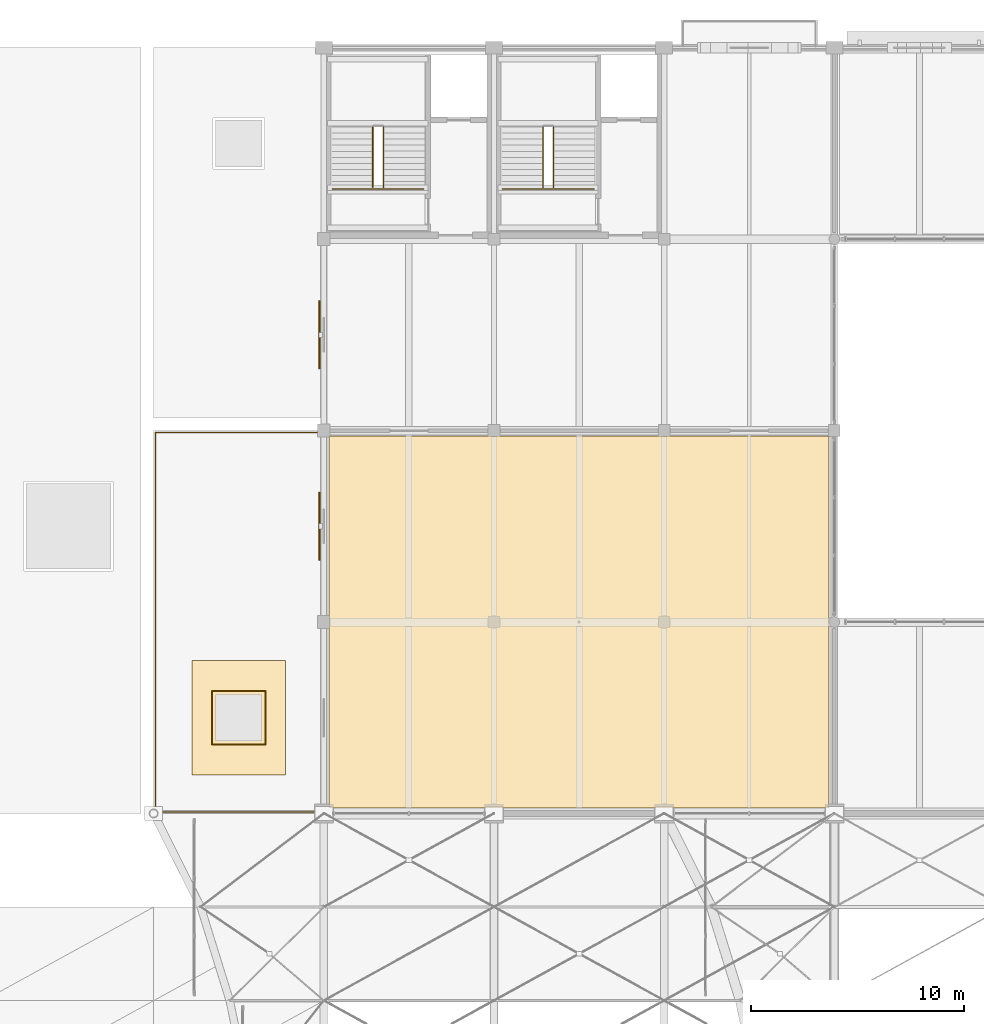
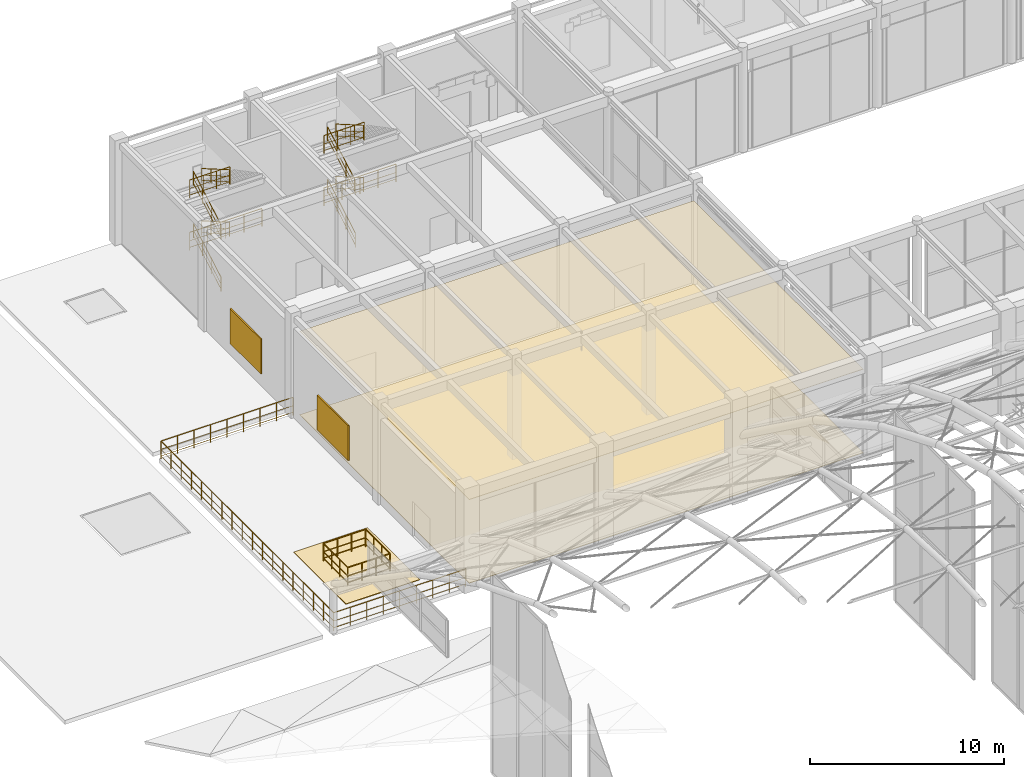
# One storey, part 158 of 163: 15 railings, 3 coverings, 2 shading devices.
"""IFC4 building model written with IfcOpenShell, lengths in metres."""

from ifc_helpers import new_model, si_unit, direction, frame, origin, origin_2d, place, context, subcontext, project, spatial, polyline, rectangle, circle, outline, extrude, material, layer, layer_set, type_object, element, save


model = new_model("IFC4")

# Units and contexts
model_context = context("Model", 3, precision=1e-05, world=origin(), true_north=direction((0.0, 1.0)))
body_context = subcontext(model_context, "Body", "Model", "MODEL_VIEW")
ifc_project = project(units=[si_unit("LENGTHUNIT", "METRE"), si_unit("AREAUNIT", "SQUARE_METRE"), si_unit("VOLUMEUNIT", "CUBIC_METRE"), si_unit("PLANEANGLEUNIT", "RADIAN"), si_unit("MASSUNIT", "GRAM", prefix="KILO")], contexts=[model_context])

# Site, building, storey
site_placement = place(None, origin())
site = spatial("IfcSite", under=ifc_project, at=site_placement, CompositionType="ELEMENT")
building_placement = place(site_placement, origin())
building = spatial("IfcBuilding", under=site, at=building_placement, Name="Varnabhumi Central Station", CompositionType="ELEMENT")
storey_placement = place(building_placement, frame((0.0, 0.0, 9.60009765625)))
storey = spatial("IfcBuildingStorey", under=building, at=storey_placement, Name="L02", CompositionType="ELEMENT", Elevation=9.60009765625)

# Coverings
ifc_material_1 = material(Name="Mineral-fibre acoustic tile")
ifc_layer_1 = layer(ifc_material_1, 0.02490234375, Name="Mineral-fibre acoustic tile")
ifc_layer_set_1 = layer_set([ifc_layer_1], Name="Mineral-fibre acoustic tile")
covering_type_1 = type_object("IfcCoveringType", Name="COV-CEIL-ACOUSTIC", PredefinedType="CEILING", material=ifc_layer_set_1)
covering_1_placement = place(storey_placement, frame((0.0, 0.0, 5.27001953125)))
element("IfcCovering", 1, at=covering_1_placement, inside=storey, type_object=covering_type_1, Name="Executive Waiting Lounge Acoustic Ceiling", PredefinedType="CEILING", context=body_context, shape_type="SweptSolid", body=[
    extrude(outline(polyline([(24.25, 80.25), (47.75, 80.25), (47.75, 97.75), (24.25, 97.75), (24.25, 80.25)])), origin(), (0.0, 0.0, 1.0), 0.02490234375),
])
ifc_material_2 = material(Name="Vitrified granite stone flooring", Category="masonry")
ifc_layer_2 = layer(ifc_material_2, 0.030029296875, Name="Vitrified granite stone flooring", Category="masonry")
ifc_layer_set_2 = layer_set([ifc_layer_2], Name="Vitrified granite stone flooring")
covering_type_2 = type_object("IfcCoveringType", Name="COV-FLOR-GRANITE", PredefinedType="FLOORING", material=ifc_layer_set_2)
covering_2_placement = place(storey_placement, origin())
element("IfcCovering", 2, at=covering_2_placement, inside=storey, type_object=covering_type_2, Name="Executive Waiting Lounge Granite Flooring", PredefinedType="FLOORING", context=body_context, shape_type="SweptSolid", body=[
    extrude(outline(polyline([(24.25, 80.25), (47.75, 80.25), (47.75, 97.75), (24.25, 97.75), (24.25, 80.25)])), origin(), (0.0, 0.0, 1.0), 0.02978515625),
])
ifc_material_3 = material(Name="Modified bitumen waterproofing membrane")
ifc_layer_3 = layer(ifc_material_3, 0.034912109375, Name="Modified bitumen waterproofing membrane")
ifc_layer_set_3 = layer_set([ifc_layer_3], Name="Modified bitumen waterproofing membrane")
covering_type_3 = type_object("IfcCoveringType", Name="COV-ROOF-MEMBRANE", PredefinedType="ROOFING", material=ifc_layer_set_3)
covering_3_placement = place(storey_placement, origin())
element("IfcCovering", 3, at=covering_3_placement, inside=storey, type_object=covering_type_3, Name="Azotea Waterproofing Paver Layer 1", PredefinedType="ROOFING", context=body_context, shape_type="SweptSolid", body=[
    extrude(outline(polyline([(17.800048828125, 81.800048828125), (22.199951171875, 81.800048828125), (22.199951171875, 87.199951171875), (17.800048828125, 87.199951171875), (17.800048828125, 81.800048828125)])), origin(), (0.0, 0.0, 1.0), 0.034912109375),
])

# Railings
ifc_material_4 = material(Name="Stainless steel Grade 316", Category="steel")
railing_type_1 = type_object("IfcRailingType", Name="RAIL-BALUST-1150", PredefinedType="BALUSTRADE", material=ifc_material_4)
railing_1_placement = place(storey_placement, frame((18.739990234375, 85.719970703125, 0.0)))
element("IfcRailing", 4, at=railing_1_placement, inside=storey, type_object=railing_type_1, Name="Skylight Guard L02-1-1A", PredefinedType="BALUSTRADE", context=body_context, shape_type="SweptSolid", body=[
    extrude(circle(Radius=0.02392578125, at=origin_2d()), frame((0.0, 0.0, 1.1259765625), z_axis=(0.0, -1.0, 0.0), x_axis=(1.0, 0.0, 0.0)), (0.0, 0.0, 1.0), 2.47998046875),
    extrude(circle(Radius=0.01416015625, at=origin_2d()), frame((0.0, 0.0, 0.597900390625), z_axis=(0.0, -1.0, 0.0), x_axis=(1.0, 0.0, 0.0)), (0.0, 0.0, 1.0), 2.47998046875),
    extrude(circle(Radius=0.01416015625, at=origin_2d()), frame((0.0, 0.0, 0.18408203125), z_axis=(0.0, -1.0, 0.0), x_axis=(1.0, 0.0, 0.0)), (0.0, 0.0, 1.0), 2.47998046875),
    extrude(circle(Radius=0.02392578125, at=origin_2d()), frame((0.0, -2.47998046875, 1.1259765625), z_axis=(1.0, 0.0, 0.0), x_axis=(0.0, 1.0, 0.0)), (0.0, 0.0, 1.0), 2.52001953125),
    extrude(circle(Radius=0.01416015625, at=origin_2d()), frame((0.0, -2.47998046875, 0.597900390625), z_axis=(1.0, 0.0, 0.0), x_axis=(0.0, 1.0, 0.0)), (0.0, 0.0, 1.0), 2.52001953125),
    extrude(circle(Radius=0.01416015625, at=origin_2d()), frame((0.0, -2.47998046875, 0.18408203125), z_axis=(1.0, 0.0, 0.0), x_axis=(0.0, 1.0, 0.0)), (0.0, 0.0, 1.0), 2.52001953125),
    extrude(circle(Radius=0.02099609375, at=origin_2d()), origin(), (0.0, 0.0, 1.0), 1.101806640625),
    extrude(circle(Radius=0.02099609375, at=origin_2d()), frame((0.0, -0.82666015625, 0.0)), (0.0, 0.0, 1.0), 1.101806640625),
    extrude(circle(Radius=0.02099609375, at=origin_2d()), frame((0.0, -1.6533203125, 0.0)), (0.0, 0.0, 1.0), 1.101806640625),
    extrude(circle(Radius=0.02099609375, at=origin_2d()), frame((0.0, -2.47998046875, 0.0)), (0.0, 0.0, 1.0), 1.101806640625),
    extrude(circle(Radius=0.02099609375, at=origin_2d()), frame((0.840087890625, -2.47998046875, 0.0)), (0.0, 0.0, 1.0), 1.101806640625),
    extrude(circle(Radius=0.02099609375, at=origin_2d()), frame((1.679931640625, -2.47998046875, 0.0)), (0.0, 0.0, 1.0), 1.101806640625),
    extrude(circle(Radius=0.02099609375, at=origin_2d()), frame((2.52001953125, -2.47998046875, 0.0)), (0.0, 0.0, 1.0), 1.101806640625),
])
railing_2_placement = place(storey_placement, frame((21.260009765625, 83.280029296875, 0.0)))
element("IfcRailing", 5, at=railing_2_placement, inside=storey, type_object=railing_type_1, Name="Skylight Guard L02-1-1B", PredefinedType="BALUSTRADE", context=body_context, shape_type="SweptSolid", body=[
    extrude(circle(Radius=0.02392578125, at=origin_2d()), frame((0.0, 0.0, 1.1259765625), z_axis=(0.0, 1.0, 0.0), x_axis=(-1.0, 0.0, 0.0)), (0.0, 0.0, 1.0), 2.47998046875),
    extrude(circle(Radius=0.01416015625, at=origin_2d()), frame((0.0, 0.0, 0.597900390625), z_axis=(0.0, 1.0, 0.0), x_axis=(-1.0, 0.0, 0.0)), (0.0, 0.0, 1.0), 2.47998046875),
    extrude(circle(Radius=0.01416015625, at=origin_2d()), frame((0.0, 0.0, 0.18408203125), z_axis=(0.0, 1.0, 0.0), x_axis=(-1.0, 0.0, 0.0)), (0.0, 0.0, 1.0), 2.47998046875),
    extrude(circle(Radius=0.02392578125, at=origin_2d()), frame((0.0, 2.47998046875, 1.1259765625), z_axis=(-1.0, 0.0, 0.0), x_axis=(0.0, -1.0, 0.0)), (0.0, 0.0, 1.0), 2.52001953125),
    extrude(circle(Radius=0.01416015625, at=origin_2d()), frame((0.0, 2.47998046875, 0.597900390625), z_axis=(-1.0, 0.0, 0.0), x_axis=(0.0, -1.0, 0.0)), (0.0, 0.0, 1.0), 2.52001953125),
    extrude(circle(Radius=0.01416015625, at=origin_2d()), frame((0.0, 2.47998046875, 0.18408203125), z_axis=(-1.0, 0.0, 0.0), x_axis=(0.0, -1.0, 0.0)), (0.0, 0.0, 1.0), 2.52001953125),
    extrude(circle(Radius=0.02099609375, at=origin_2d()), origin(), (0.0, 0.0, 1.0), 1.101806640625),
    extrude(circle(Radius=0.02099609375, at=origin_2d()), frame((0.0, 0.82666015625, 0.0)), (0.0, 0.0, 1.0), 1.101806640625),
    extrude(circle(Radius=0.02099609375, at=origin_2d()), frame((0.0, 1.6533203125, 0.0)), (0.0, 0.0, 1.0), 1.101806640625),
    extrude(circle(Radius=0.02099609375, at=origin_2d()), frame((0.0, 2.47998046875, 0.0)), (0.0, 0.0, 1.0), 1.101806640625),
    extrude(circle(Radius=0.02099609375, at=origin_2d()), frame((-0.840087890625, 2.47998046875, 0.0)), (0.0, 0.0, 1.0), 1.101806640625),
    extrude(circle(Radius=0.02099609375, at=origin_2d()), frame((-1.679931640625, 2.47998046875, 0.0)), (0.0, 0.0, 1.0), 1.101806640625),
    extrude(circle(Radius=0.02099609375, at=origin_2d()), frame((-2.52001953125, 2.47998046875, 0.0)), (0.0, 0.0, 1.0), 1.101806640625),
])
railing_3_placement = place(storey_placement, frame((23.949951171875, 97.919921875, 0.0)))
element("IfcRailing", 6, at=railing_3_placement, inside=storey, type_object=railing_type_1, Name="Azotea Perimeter Balustrade L02-1", PredefinedType="BALUSTRADE", context=body_context, shape_type="SweptSolid", body=[
    extrude(circle(Radius=0.02392578125, at=origin_2d()), frame((0.0, 0.0, 1.1259765625), z_axis=(-1.0, 0.0, 0.0), x_axis=(0.0, -1.0, 0.0)), (0.0, 0.0, 1.0), 7.869873046875),
    extrude(circle(Radius=0.01416015625, at=origin_2d()), frame((0.0, 0.0, 0.597900390625), z_axis=(-1.0, 0.0, 0.0), x_axis=(0.0, -1.0, 0.0)), (0.0, 0.0, 1.0), 7.869873046875),
    extrude(circle(Radius=0.01416015625, at=origin_2d()), frame((0.0, 0.0, 0.18408203125), z_axis=(-1.0, 0.0, 0.0), x_axis=(0.0, -1.0, 0.0)), (0.0, 0.0, 1.0), 7.869873046875),
    extrude(circle(Radius=0.02392578125, at=origin_2d()), frame((-7.869873046875, 0.0, 1.1259765625), z_axis=(0.0, -1.0, 0.0), x_axis=(1.0, 0.0, 0.0)), (0.0, 0.0, 1.0), 17.83984375),
    extrude(circle(Radius=0.01416015625, at=origin_2d()), frame((-7.869873046875, 0.0, 0.597900390625), z_axis=(0.0, -1.0, 0.0), x_axis=(1.0, 0.0, 0.0)), (0.0, 0.0, 1.0), 17.83984375),
    extrude(circle(Radius=0.01416015625, at=origin_2d()), frame((-7.869873046875, 0.0, 0.18408203125), z_axis=(0.0, -1.0, 0.0), x_axis=(1.0, 0.0, 0.0)), (0.0, 0.0, 1.0), 17.83984375),
    extrude(circle(Radius=0.02392578125, at=origin_2d()), frame((-7.869873046875, -17.83984375, 1.1259765625), z_axis=(1.0, 0.0, 0.0), x_axis=(0.0, 1.0, 0.0)), (0.0, 0.0, 1.0), 7.869873046875),
    extrude(circle(Radius=0.01416015625, at=origin_2d()), frame((-7.869873046875, -17.83984375, 0.597900390625), z_axis=(1.0, 0.0, 0.0), x_axis=(0.0, 1.0, 0.0)), (0.0, 0.0, 1.0), 7.869873046875),
    extrude(circle(Radius=0.01416015625, at=origin_2d()), frame((-7.869873046875, -17.83984375, 0.18408203125), z_axis=(1.0, 0.0, 0.0), x_axis=(0.0, 1.0, 0.0)), (0.0, 0.0, 1.0), 7.869873046875),
    extrude(circle(Radius=0.02099609375, at=origin_2d()), origin(), (0.0, 0.0, 1.0), 1.101806640625),
    extrude(circle(Radius=0.02099609375, at=origin_2d()), frame((-0.983642578125, 0.0, 0.0)), (0.0, 0.0, 1.0), 1.101806640625),
    extrude(circle(Radius=0.02099609375, at=origin_2d()), frame((-1.967529296875, 0.0, 0.0)), (0.0, 0.0, 1.0), 1.101806640625),
    extrude(circle(Radius=0.02099609375, at=origin_2d()), frame((-2.951171875, 0.0, 0.0)), (0.0, 0.0, 1.0), 1.101806640625),
    extrude(circle(Radius=0.02099609375, at=origin_2d()), frame((-3.93505859375, 0.0, 0.0)), (0.0, 0.0, 1.0), 1.101806640625),
    extrude(circle(Radius=0.02099609375, at=origin_2d()), frame((-4.918701171875, 0.0, 0.0)), (0.0, 0.0, 1.0), 1.101806640625),
    extrude(circle(Radius=0.02099609375, at=origin_2d()), frame((-5.90234375, 0.0, 0.0)), (0.0, 0.0, 1.0), 1.101806640625),
    extrude(circle(Radius=0.02099609375, at=origin_2d()), frame((-6.88623046875, 0.0, 0.0)), (0.0, 0.0, 1.0), 1.101806640625),
    extrude(circle(Radius=0.02099609375, at=origin_2d()), frame((-7.869873046875, 0.0, 0.0)), (0.0, 0.0, 1.0), 1.101806640625),
    extrude(circle(Radius=0.02099609375, at=origin_2d()), frame((-7.869873046875, -1.04931640625, 0.0)), (0.0, 0.0, 1.0), 1.101806640625),
    extrude(circle(Radius=0.02099609375, at=origin_2d()), frame((-7.869873046875, -2.098876953125, 0.0)), (0.0, 0.0, 1.0), 1.101806640625),
    extrude(circle(Radius=0.02099609375, at=origin_2d()), frame((-7.869873046875, -3.148193359375, 0.0)), (0.0, 0.0, 1.0), 1.101806640625),
    extrude(circle(Radius=0.02099609375, at=origin_2d()), frame((-7.869873046875, -4.197509765625, 0.0)), (0.0, 0.0, 1.0), 1.101806640625),
    extrude(circle(Radius=0.02099609375, at=origin_2d()), frame((-7.869873046875, -5.2470703125, 0.0)), (0.0, 0.0, 1.0), 1.101806640625),
    extrude(circle(Radius=0.02099609375, at=origin_2d()), frame((-7.869873046875, -6.29638671875, 0.0)), (0.0, 0.0, 1.0), 1.101806640625),
    extrude(circle(Radius=0.02099609375, at=origin_2d()), frame((-7.869873046875, -7.345703125, 0.0)), (0.0, 0.0, 1.0), 1.101806640625),
    extrude(circle(Radius=0.02099609375, at=origin_2d()), frame((-7.869873046875, -8.395263671875, 0.0)), (0.0, 0.0, 1.0), 1.101806640625),
    extrude(circle(Radius=0.02099609375, at=origin_2d()), frame((-7.869873046875, -9.444580078125, 0.0)), (0.0, 0.0, 1.0), 1.101806640625),
    extrude(circle(Radius=0.02099609375, at=origin_2d()), frame((-7.869873046875, -10.494140625, 0.0)), (0.0, 0.0, 1.0), 1.101806640625),
    extrude(circle(Radius=0.02099609375, at=origin_2d()), frame((-7.869873046875, -11.54345703125, 0.0)), (0.0, 0.0, 1.0), 1.101806640625),
    extrude(circle(Radius=0.02099609375, at=origin_2d()), frame((-7.869873046875, -12.5927734375, 0.0)), (0.0, 0.0, 1.0), 1.101806640625),
    extrude(circle(Radius=0.02099609375, at=origin_2d()), frame((-7.869873046875, -13.642333984375, 0.0)), (0.0, 0.0, 1.0), 1.101806640625),
    extrude(circle(Radius=0.02099609375, at=origin_2d()), frame((-7.869873046875, -14.691650390625, 0.0)), (0.0, 0.0, 1.0), 1.101806640625),
    extrude(circle(Radius=0.02099609375, at=origin_2d()), frame((-7.869873046875, -15.740966796875, 0.0)), (0.0, 0.0, 1.0), 1.101806640625),
    extrude(circle(Radius=0.02099609375, at=origin_2d()), frame((-7.869873046875, -16.79052734375, 0.0)), (0.0, 0.0, 1.0), 1.101806640625),
    extrude(circle(Radius=0.02099609375, at=origin_2d()), frame((-7.869873046875, -17.83984375, 0.0)), (0.0, 0.0, 1.0), 1.101806640625),
    extrude(circle(Radius=0.02099609375, at=origin_2d()), frame((-6.88623046875, -17.83984375, 0.0)), (0.0, 0.0, 1.0), 1.101806640625),
    extrude(circle(Radius=0.02099609375, at=origin_2d()), frame((-5.90234375, -17.83984375, 0.0)), (0.0, 0.0, 1.0), 1.101806640625),
    extrude(circle(Radius=0.02099609375, at=origin_2d()), frame((-4.918701171875, -17.83984375, 0.0)), (0.0, 0.0, 1.0), 1.101806640625),
    extrude(circle(Radius=0.02099609375, at=origin_2d()), frame((-3.93505859375, -17.83984375, 0.0)), (0.0, 0.0, 1.0), 1.101806640625),
    extrude(circle(Radius=0.02099609375, at=origin_2d()), frame((-2.951171875, -17.83984375, 0.0)), (0.0, 0.0, 1.0), 1.101806640625),
    extrude(circle(Radius=0.02099609375, at=origin_2d()), frame((-1.967529296875, -17.83984375, 0.0)), (0.0, 0.0, 1.0), 1.101806640625),
    extrude(circle(Radius=0.02099609375, at=origin_2d()), frame((-0.983642578125, -17.83984375, 0.0)), (0.0, 0.0, 1.0), 1.101806640625),
    extrude(circle(Radius=0.02099609375, at=origin_2d()), frame((0.0, -17.83984375, 0.0)), (0.0, 0.0, 1.0), 1.101806640625),
])
railing_type_2 = type_object("IfcRailingType", Name="RAIL-STAIR-GRD-1150", PredefinedType="GUARDRAIL", material=ifc_material_4)
railing_4_placement = place(storey_placement, frame((24.39990234375, 109.360107421875, 3.2998046875)))
element("IfcRailing", 7, at=railing_4_placement, inside=storey, type_object=railing_type_2, Name="ST-N1 L02 Landing Guard 2", PredefinedType="GUARDRAIL", context=body_context, shape_type="SweptSolid", body=[
    extrude(circle(Radius=0.02392578125, at=origin_2d()), frame((0.0, 0.0, 1.1259765625), z_axis=(1.0, 0.0, 0.0), x_axis=(0.0, 1.0, 0.0)), (0.0, 0.0, 1.0), 4.300048828125),
    extrude(circle(Radius=0.01416015625, at=origin_2d()), frame((0.0, 0.0, 0.597900390625), z_axis=(1.0, 0.0, 0.0), x_axis=(0.0, 1.0, 0.0)), (0.0, 0.0, 1.0), 4.300048828125),
    extrude(circle(Radius=0.01416015625, at=origin_2d()), frame((0.0, 0.0, 0.18408203125), z_axis=(1.0, 0.0, 0.0), x_axis=(0.0, 1.0, 0.0)), (0.0, 0.0, 1.0), 4.300048828125),
    extrude(circle(Radius=0.02099609375, at=origin_2d()), origin(), (0.0, 0.0, 1.0), 1.101806640625),
    extrude(circle(Radius=0.02099609375, at=origin_2d()), frame((1.074951171875, 0.0, 0.0)), (0.0, 0.0, 1.0), 1.101806640625),
    extrude(circle(Radius=0.02099609375, at=origin_2d()), frame((2.14990234375, 0.0, 0.0)), (0.0, 0.0, 1.0), 1.101806640625),
    extrude(circle(Radius=0.02099609375, at=origin_2d()), frame((3.22509765625, 0.0, 0.0)), (0.0, 0.0, 1.0), 1.101806640625),
    extrude(circle(Radius=0.02099609375, at=origin_2d()), frame((4.300048828125, 0.0, 0.0)), (0.0, 0.0, 1.0), 1.101806640625),
])
railing_5_placement = place(storey_placement, frame((24.39990234375, 109.360107421875, 6.599853515625)))
element("IfcRailing", 8, at=railing_5_placement, inside=storey, type_object=railing_type_2, Name="ST-N1 Top Well Guard", PredefinedType="GUARDRAIL", context=body_context, shape_type="SweptSolid", body=[
    extrude(circle(Radius=0.02392578125, at=origin_2d()), frame((0.0, 0.0, 1.1259765625), z_axis=(1.0, 0.0, 0.0), x_axis=(0.0, 1.0, 0.0)), (0.0, 0.0, 1.0), 2.400146484375),
    extrude(circle(Radius=0.01416015625, at=origin_2d()), frame((0.0, 0.0, 0.597900390625), z_axis=(1.0, 0.0, 0.0), x_axis=(0.0, 1.0, 0.0)), (0.0, 0.0, 1.0), 2.400146484375),
    extrude(circle(Radius=0.01416015625, at=origin_2d()), frame((0.0, 0.0, 0.18408203125), z_axis=(1.0, 0.0, 0.0), x_axis=(0.0, 1.0, 0.0)), (0.0, 0.0, 1.0), 2.400146484375),
    extrude(circle(Radius=0.02099609375, at=origin_2d()), origin(), (0.0, 0.0, 1.0), 1.101806640625),
    extrude(circle(Radius=0.02099609375, at=origin_2d()), frame((0.800048828125, 0.0, 0.0)), (0.0, 0.0, 1.0), 1.101806640625),
    extrude(circle(Radius=0.02099609375, at=origin_2d()), frame((1.60009765625, 0.0, 0.0)), (0.0, 0.0, 1.0), 1.101806640625),
    extrude(circle(Radius=0.02099609375, at=origin_2d()), frame((2.400146484375, 0.0, 0.0)), (0.0, 0.0, 1.0), 1.101806640625),
])
railing_6_placement = place(storey_placement, frame((32.39990234375, 109.360107421875, 3.2998046875)))
element("IfcRailing", 9, at=railing_6_placement, inside=storey, type_object=railing_type_2, Name="ST-N4 L02 Landing Guard 2", PredefinedType="GUARDRAIL", context=body_context, shape_type="SweptSolid", body=[
    extrude(circle(Radius=0.02392578125, at=origin_2d()), frame((0.0, 0.0, 1.1259765625), z_axis=(1.0, 0.0, 0.0), x_axis=(0.0, 1.0, 0.0)), (0.0, 0.0, 1.0), 4.300048828125),
    extrude(circle(Radius=0.01416015625, at=origin_2d()), frame((0.0, 0.0, 0.597900390625), z_axis=(1.0, 0.0, 0.0), x_axis=(0.0, 1.0, 0.0)), (0.0, 0.0, 1.0), 4.300048828125),
    extrude(circle(Radius=0.01416015625, at=origin_2d()), frame((0.0, 0.0, 0.18408203125), z_axis=(1.0, 0.0, 0.0), x_axis=(0.0, 1.0, 0.0)), (0.0, 0.0, 1.0), 4.300048828125),
    extrude(circle(Radius=0.02099609375, at=origin_2d()), origin(), (0.0, 0.0, 1.0), 1.101806640625),
    extrude(circle(Radius=0.02099609375, at=origin_2d()), frame((1.074951171875, 0.0, 0.0)), (0.0, 0.0, 1.0), 1.101806640625),
    extrude(circle(Radius=0.02099609375, at=origin_2d()), frame((2.14990234375, 0.0, 0.0)), (0.0, 0.0, 1.0), 1.101806640625),
    extrude(circle(Radius=0.02099609375, at=origin_2d()), frame((3.22509765625, 0.0, 0.0)), (0.0, 0.0, 1.0), 1.101806640625),
    extrude(circle(Radius=0.02099609375, at=origin_2d()), frame((4.300048828125, 0.0, 0.0)), (0.0, 0.0, 1.0), 1.101806640625),
])
railing_7_placement = place(storey_placement, frame((32.39990234375, 109.360107421875, 6.599853515625)))
element("IfcRailing", 10, at=railing_7_placement, inside=storey, type_object=railing_type_2, Name="ST-N4 Top Well Guard", PredefinedType="GUARDRAIL", context=body_context, shape_type="SweptSolid", body=[
    extrude(circle(Radius=0.02392578125, at=origin_2d()), frame((0.0, 0.0, 1.1259765625), z_axis=(1.0, 0.0, 0.0), x_axis=(0.0, 1.0, 0.0)), (0.0, 0.0, 1.0), 2.400146484375),
    extrude(circle(Radius=0.01416015625, at=origin_2d()), frame((0.0, 0.0, 0.597900390625), z_axis=(1.0, 0.0, 0.0), x_axis=(0.0, 1.0, 0.0)), (0.0, 0.0, 1.0), 2.400146484375),
    extrude(circle(Radius=0.01416015625, at=origin_2d()), frame((0.0, 0.0, 0.18408203125), z_axis=(1.0, 0.0, 0.0), x_axis=(0.0, 1.0, 0.0)), (0.0, 0.0, 1.0), 2.400146484375),
    extrude(circle(Radius=0.02099609375, at=origin_2d()), origin(), (0.0, 0.0, 1.0), 1.101806640625),
    extrude(circle(Radius=0.02099609375, at=origin_2d()), frame((0.800048828125, 0.0, 0.0)), (0.0, 0.0, 1.0), 1.101806640625),
    extrude(circle(Radius=0.02099609375, at=origin_2d()), frame((1.60009765625, 0.0, 0.0)), (0.0, 0.0, 1.0), 1.101806640625),
    extrude(circle(Radius=0.02099609375, at=origin_2d()), frame((2.400146484375, 0.0, 0.0)), (0.0, 0.0, 1.0), 1.101806640625),
])
railing_type_3 = type_object("IfcRailingType", Name="RAIL-STAIR-HR-920", PredefinedType="HANDRAIL", material=ifc_material_4)
railing_8_placement = place(storey_placement, frame((26.300048828125, 109.419921875, 0.0)))
element("IfcRailing", 11, at=railing_8_placement, inside=storey, type_object=railing_type_3, Name="ST-N1 L02 Handrail 1", PredefinedType="HANDRAIL", context=body_context, shape_type="SweptSolid", body=[
    extrude(circle(Radius=0.02392578125, at=origin_2d()), frame((0.0, 0.0, 0.89599609375), z_axis=(0.0, 0.865446587175, 0.501001202341), x_axis=(-1.0, 0.0, 0.0)), (0.0, 0.0, 1.0), 3.293212890625),
    extrude(circle(Radius=0.01416015625, at=origin_2d()), frame((0.0, 0.0, 0.478271484375), z_axis=(0.0, 0.865446587175, 0.501001202341), x_axis=(-1.0, 0.0, 0.0)), (0.0, 0.0, 1.0), 3.293212890625),
    extrude(circle(Radius=0.01416015625, at=origin_2d()), frame((0.0, 0.0, 0.147216796875), z_axis=(0.0, 0.865446587175, 0.501001202341), x_axis=(-1.0, 0.0, 0.0)), (0.0, 0.0, 1.0), 3.293212890625),
    extrude(circle(Radius=0.02099609375, at=origin_2d()), origin(), (0.0, 0.0, 1.0), 0.871826171875),
    extrude(circle(Radius=0.02099609375, at=origin_2d()), frame((0.0, 0.949951171875, 0.550048828125)), (0.0, 0.0, 1.0), 0.871826171875),
    extrude(circle(Radius=0.02099609375, at=origin_2d()), frame((0.0, 1.900146484375, 1.099853515625)), (0.0, 0.0, 1.0), 0.871826171875),
    extrude(circle(Radius=0.02099609375, at=origin_2d()), frame((0.0, 2.85009765625, 1.64990234375)), (0.0, 0.0, 1.0), 0.871826171875),
])
railing_9_placement = place(storey_placement, frame((26.800048828125, 112.27001953125, 1.64990234375)))
element("IfcRailing", 12, at=railing_9_placement, inside=storey, type_object=railing_type_3, Name="ST-N1 L02 Handrail 2", PredefinedType="HANDRAIL", context=body_context, shape_type="SweptSolid", body=[
    extrude(circle(Radius=0.02392578125, at=origin_2d()), frame((0.0, 0.0, 0.89599609375), z_axis=(0.0, -0.865446587175, 0.501001202341), x_axis=(1.0, 0.0, 0.0)), (0.0, 0.0, 1.0), 3.293212890625),
    extrude(circle(Radius=0.01416015625, at=origin_2d()), frame((0.0, 0.0, 0.478271484375), z_axis=(0.0, -0.865446587175, 0.501001202341), x_axis=(1.0, 0.0, 0.0)), (0.0, 0.0, 1.0), 3.293212890625),
    extrude(circle(Radius=0.01416015625, at=origin_2d()), frame((0.0, 0.0, 0.147216796875), z_axis=(0.0, -0.865446587175, 0.501001202341), x_axis=(1.0, 0.0, 0.0)), (0.0, 0.0, 1.0), 3.293212890625),
    extrude(circle(Radius=0.02099609375, at=origin_2d()), origin(), (0.0, 0.0, 1.0), 0.871826171875),
    extrude(circle(Radius=0.02099609375, at=origin_2d()), frame((0.0, -0.949951171875, 0.550048828125)), (0.0, 0.0, 1.0), 0.871826171875),
    extrude(circle(Radius=0.02099609375, at=origin_2d()), frame((0.0, -1.900146484375, 1.099853515625)), (0.0, 0.0, 1.0), 0.871826171875),
    extrude(circle(Radius=0.02099609375, at=origin_2d()), frame((0.0, -2.85009765625, 1.64990234375)), (0.0, 0.0, 1.0), 0.871826171875),
])
railing_10_placement = place(storey_placement, frame((26.300048828125, 109.419921875, 3.2998046875)))
element("IfcRailing", 13, at=railing_10_placement, inside=storey, type_object=railing_type_3, Name="ST-N1 L02 Handrail 3", PredefinedType="HANDRAIL", context=body_context, shape_type="SweptSolid", body=[
    extrude(circle(Radius=0.02392578125, at=origin_2d()), frame((0.0, 0.0, 0.89599609375), z_axis=(0.0, 0.86541444261, 0.501056725852), x_axis=(-1.0, 0.0, 0.0)), (0.0, 0.0, 1.0), 3.293212890625),
    extrude(circle(Radius=0.01416015625, at=origin_2d()), frame((0.0, 0.0, 0.478271484375), z_axis=(0.0, 0.86541444261, 0.501056725852), x_axis=(-1.0, 0.0, 0.0)), (0.0, 0.0, 1.0), 3.293212890625),
    extrude(circle(Radius=0.01416015625, at=origin_2d()), frame((0.0, 0.0, 0.147216796875), z_axis=(0.0, 0.86541444261, 0.501056725852), x_axis=(-1.0, 0.0, 0.0)), (0.0, 0.0, 1.0), 3.293212890625),
    extrude(circle(Radius=0.02099609375, at=origin_2d()), origin(), (0.0, 0.0, 1.0), 0.871826171875),
    extrude(circle(Radius=0.02099609375, at=origin_2d()), frame((0.0, 0.949951171875, 0.550048828125)), (0.0, 0.0, 1.0), 0.871826171875),
    extrude(circle(Radius=0.02099609375, at=origin_2d()), frame((0.0, 1.900146484375, 1.10009765625)), (0.0, 0.0, 1.0), 0.871826171875),
    extrude(circle(Radius=0.02099609375, at=origin_2d()), frame((0.0, 2.85009765625, 1.650146484375)), (0.0, 0.0, 1.0), 0.871826171875),
])
railing_11_placement = place(storey_placement, frame((26.800048828125, 112.27001953125, 4.949951171875)))
element("IfcRailing", 14, at=railing_11_placement, inside=storey, type_object=railing_type_3, Name="ST-N1 L02 Handrail 4", PredefinedType="HANDRAIL", context=body_context, shape_type="SweptSolid", body=[
    extrude(circle(Radius=0.02392578125, at=origin_2d()), frame((0.0, 0.0, 0.89599609375), z_axis=(0.0, -0.865446587175, 0.501001202341), x_axis=(1.0, 0.0, 0.0)), (0.0, 0.0, 1.0), 3.293212890625),
    extrude(circle(Radius=0.01416015625, at=origin_2d()), frame((0.0, 0.0, 0.478271484375), z_axis=(0.0, -0.865446587175, 0.501001202341), x_axis=(1.0, 0.0, 0.0)), (0.0, 0.0, 1.0), 3.293212890625),
    extrude(circle(Radius=0.01416015625, at=origin_2d()), frame((0.0, 0.0, 0.147216796875), z_axis=(0.0, -0.865446587175, 0.501001202341), x_axis=(1.0, 0.0, 0.0)), (0.0, 0.0, 1.0), 3.293212890625),
    extrude(circle(Radius=0.02099609375, at=origin_2d()), origin(), (0.0, 0.0, 1.0), 0.871826171875),
    extrude(circle(Radius=0.02099609375, at=origin_2d()), frame((0.0, -0.949951171875, 0.550048828125)), (0.0, 0.0, 1.0), 0.871826171875),
    extrude(circle(Radius=0.02099609375, at=origin_2d()), frame((0.0, -1.900146484375, 1.099853515625)), (0.0, 0.0, 1.0), 0.871826171875),
    extrude(circle(Radius=0.02099609375, at=origin_2d()), frame((0.0, -2.85009765625, 1.64990234375)), (0.0, 0.0, 1.0), 0.871826171875),
])
railing_12_placement = place(storey_placement, frame((34.300048828125, 109.419921875, 0.0)))
element("IfcRailing", 15, at=railing_12_placement, inside=storey, type_object=railing_type_3, Name="ST-N4 L02 Handrail 1", PredefinedType="HANDRAIL", context=body_context, shape_type="SweptSolid", body=[
    extrude(circle(Radius=0.02392578125, at=origin_2d()), frame((0.0, 0.0, 0.89599609375), z_axis=(0.0, 0.865446587175, 0.501001202341), x_axis=(-1.0, 0.0, 0.0)), (0.0, 0.0, 1.0), 3.293212890625),
    extrude(circle(Radius=0.01416015625, at=origin_2d()), frame((0.0, 0.0, 0.478271484375), z_axis=(0.0, 0.865446587175, 0.501001202341), x_axis=(-1.0, 0.0, 0.0)), (0.0, 0.0, 1.0), 3.293212890625),
    extrude(circle(Radius=0.01416015625, at=origin_2d()), frame((0.0, 0.0, 0.147216796875), z_axis=(0.0, 0.865446587175, 0.501001202341), x_axis=(-1.0, 0.0, 0.0)), (0.0, 0.0, 1.0), 3.293212890625),
    extrude(circle(Radius=0.02099609375, at=origin_2d()), origin(), (0.0, 0.0, 1.0), 0.871826171875),
    extrude(circle(Radius=0.02099609375, at=origin_2d()), frame((0.0, 0.949951171875, 0.550048828125)), (0.0, 0.0, 1.0), 0.871826171875),
    extrude(circle(Radius=0.02099609375, at=origin_2d()), frame((0.0, 1.900146484375, 1.099853515625)), (0.0, 0.0, 1.0), 0.871826171875),
    extrude(circle(Radius=0.02099609375, at=origin_2d()), frame((0.0, 2.85009765625, 1.64990234375)), (0.0, 0.0, 1.0), 0.871826171875),
])
railing_13_placement = place(storey_placement, frame((34.800048828125, 112.27001953125, 1.64990234375)))
element("IfcRailing", 16, at=railing_13_placement, inside=storey, type_object=railing_type_3, Name="ST-N4 L02 Handrail 2", PredefinedType="HANDRAIL", context=body_context, shape_type="SweptSolid", body=[
    extrude(circle(Radius=0.02392578125, at=origin_2d()), frame((0.0, 0.0, 0.89599609375), z_axis=(0.0, -0.865446587175, 0.501001202341), x_axis=(1.0, 0.0, 0.0)), (0.0, 0.0, 1.0), 3.293212890625),
    extrude(circle(Radius=0.01416015625, at=origin_2d()), frame((0.0, 0.0, 0.478271484375), z_axis=(0.0, -0.865446587175, 0.501001202341), x_axis=(1.0, 0.0, 0.0)), (0.0, 0.0, 1.0), 3.293212890625),
    extrude(circle(Radius=0.01416015625, at=origin_2d()), frame((0.0, 0.0, 0.147216796875), z_axis=(0.0, -0.865446587175, 0.501001202341), x_axis=(1.0, 0.0, 0.0)), (0.0, 0.0, 1.0), 3.293212890625),
    extrude(circle(Radius=0.02099609375, at=origin_2d()), origin(), (0.0, 0.0, 1.0), 0.871826171875),
    extrude(circle(Radius=0.02099609375, at=origin_2d()), frame((0.0, -0.949951171875, 0.550048828125)), (0.0, 0.0, 1.0), 0.871826171875),
    extrude(circle(Radius=0.02099609375, at=origin_2d()), frame((0.0, -1.900146484375, 1.099853515625)), (0.0, 0.0, 1.0), 0.871826171875),
    extrude(circle(Radius=0.02099609375, at=origin_2d()), frame((0.0, -2.85009765625, 1.64990234375)), (0.0, 0.0, 1.0), 0.871826171875),
])
railing_14_placement = place(storey_placement, frame((34.300048828125, 109.419921875, 3.2998046875)))
element("IfcRailing", 17, at=railing_14_placement, inside=storey, type_object=railing_type_3, Name="ST-N4 L02 Handrail 3", PredefinedType="HANDRAIL", context=body_context, shape_type="SweptSolid", body=[
    extrude(circle(Radius=0.02392578125, at=origin_2d()), frame((0.0, 0.0, 0.89599609375), z_axis=(0.0, 0.86541444261, 0.501056725852), x_axis=(-1.0, 0.0, 0.0)), (0.0, 0.0, 1.0), 3.293212890625),
    extrude(circle(Radius=0.01416015625, at=origin_2d()), frame((0.0, 0.0, 0.478271484375), z_axis=(0.0, 0.86541444261, 0.501056725852), x_axis=(-1.0, 0.0, 0.0)), (0.0, 0.0, 1.0), 3.293212890625),
    extrude(circle(Radius=0.01416015625, at=origin_2d()), frame((0.0, 0.0, 0.147216796875), z_axis=(0.0, 0.86541444261, 0.501056725852), x_axis=(-1.0, 0.0, 0.0)), (0.0, 0.0, 1.0), 3.293212890625),
    extrude(circle(Radius=0.02099609375, at=origin_2d()), origin(), (0.0, 0.0, 1.0), 0.871826171875),
    extrude(circle(Radius=0.02099609375, at=origin_2d()), frame((0.0, 0.949951171875, 0.550048828125)), (0.0, 0.0, 1.0), 0.871826171875),
    extrude(circle(Radius=0.02099609375, at=origin_2d()), frame((0.0, 1.900146484375, 1.10009765625)), (0.0, 0.0, 1.0), 0.871826171875),
    extrude(circle(Radius=0.02099609375, at=origin_2d()), frame((0.0, 2.85009765625, 1.650146484375)), (0.0, 0.0, 1.0), 0.871826171875),
])
railing_15_placement = place(storey_placement, frame((34.800048828125, 112.27001953125, 4.949951171875)))
element("IfcRailing", 18, at=railing_15_placement, inside=storey, type_object=railing_type_3, Name="ST-N4 L02 Handrail 4", PredefinedType="HANDRAIL", context=body_context, shape_type="SweptSolid", body=[
    extrude(circle(Radius=0.02392578125, at=origin_2d()), frame((0.0, 0.0, 0.89599609375), z_axis=(0.0, -0.865446587175, 0.501001202341), x_axis=(1.0, 0.0, 0.0)), (0.0, 0.0, 1.0), 3.293212890625),
    extrude(circle(Radius=0.01416015625, at=origin_2d()), frame((0.0, 0.0, 0.478271484375), z_axis=(0.0, -0.865446587175, 0.501001202341), x_axis=(1.0, 0.0, 0.0)), (0.0, 0.0, 1.0), 3.293212890625),
    extrude(circle(Radius=0.01416015625, at=origin_2d()), frame((0.0, 0.0, 0.147216796875), z_axis=(0.0, -0.865446587175, 0.501001202341), x_axis=(1.0, 0.0, 0.0)), (0.0, 0.0, 1.0), 3.293212890625),
    extrude(circle(Radius=0.02099609375, at=origin_2d()), origin(), (0.0, 0.0, 1.0), 0.871826171875),
    extrude(circle(Radius=0.02099609375, at=origin_2d()), frame((0.0, -0.949951171875, 0.550048828125)), (0.0, 0.0, 1.0), 0.871826171875),
    extrude(circle(Radius=0.02099609375, at=origin_2d()), frame((0.0, -1.900146484375, 1.099853515625)), (0.0, 0.0, 1.0), 0.871826171875),
    extrude(circle(Radius=0.02099609375, at=origin_2d()), frame((0.0, -2.85009765625, 1.64990234375)), (0.0, 0.0, 1.0), 0.871826171875),
])

# Shading devices
ifc_material_5 = material(Name="Terracotta clay Mission barrel tile", Category="masonry")
ifc_layer_4 = layer(ifc_material_5, 0.080078125, Name="Terracotta clay Mission barrel tile", Category="masonry")
ifc_layer_set_4 = layer_set([ifc_layer_4], Name="Terracotta clay Mission barrel tile")
shading_device_type = type_object("IfcShadingDeviceType", Name="SHD-CELOSIA-JALI", PredefinedType="JALOUSIE", material=ifc_layer_set_4)
for number, where, z_axis, x_axis, name in (
    (19, (23.7900390625, 93.5, 0.85009765625), (0.0, 0.0, 1.0), (1.0, 0.0, 0.0), "Terracotta Celosia Screen N-L02-E2"),
    (20, (23.7900390625, 102.5, 0.85009765625), (0.0, 0.0, 1.0), (1.0, 0.0, 0.0), "Terracotta Celosia Screen N-L02-E3"),
):
    element("IfcShadingDevice", number, at=place(storey_placement, frame(where, z_axis=z_axis, x_axis=x_axis)), inside=storey, type_object=shading_device_type, Name=name, PredefinedType="JALOUSIE", context=body_context, shape_type="SweptSolid", body=[
        extrude(rectangle(XDim=0.080078125, YDim=3.199951171875, at=origin_2d()), origin(), (0.0, 0.0, 1.0), 2.199951171875),
    ])

save(model, "model.ifc")
